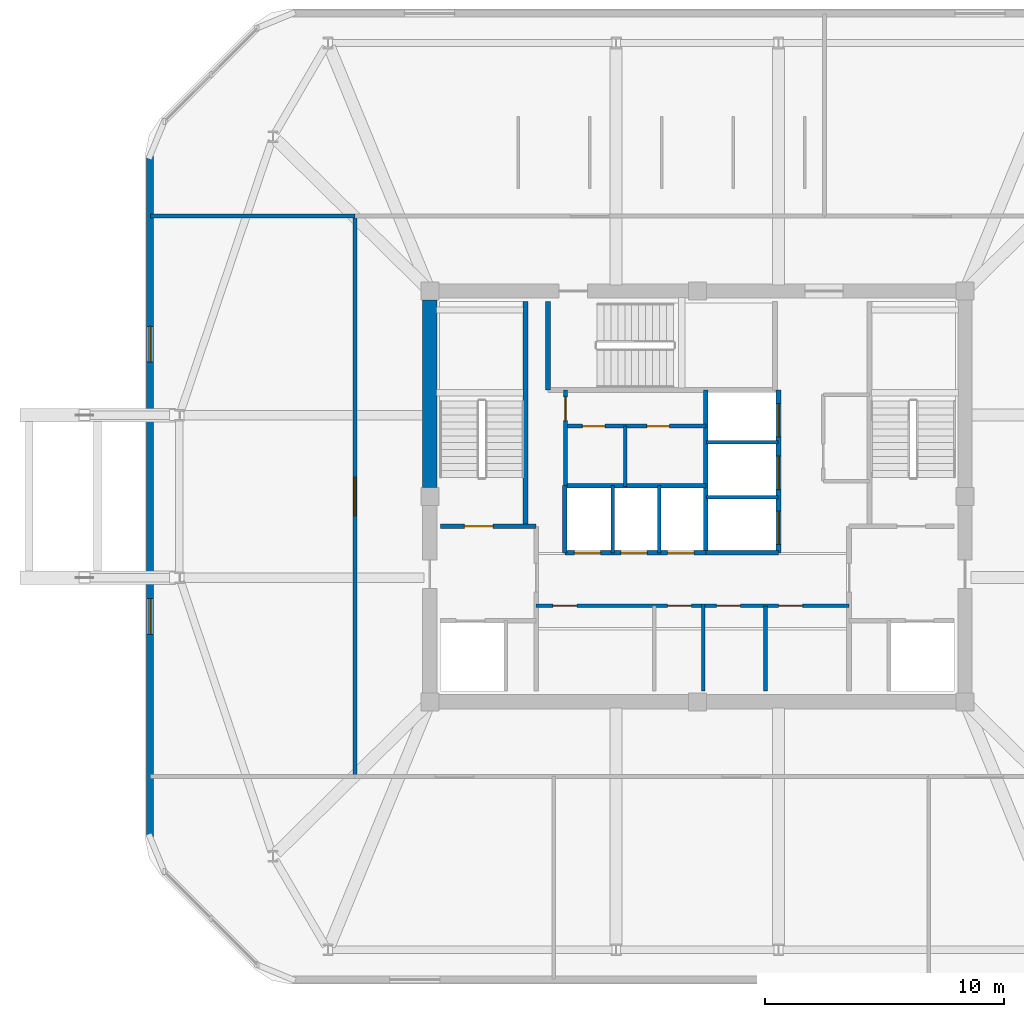
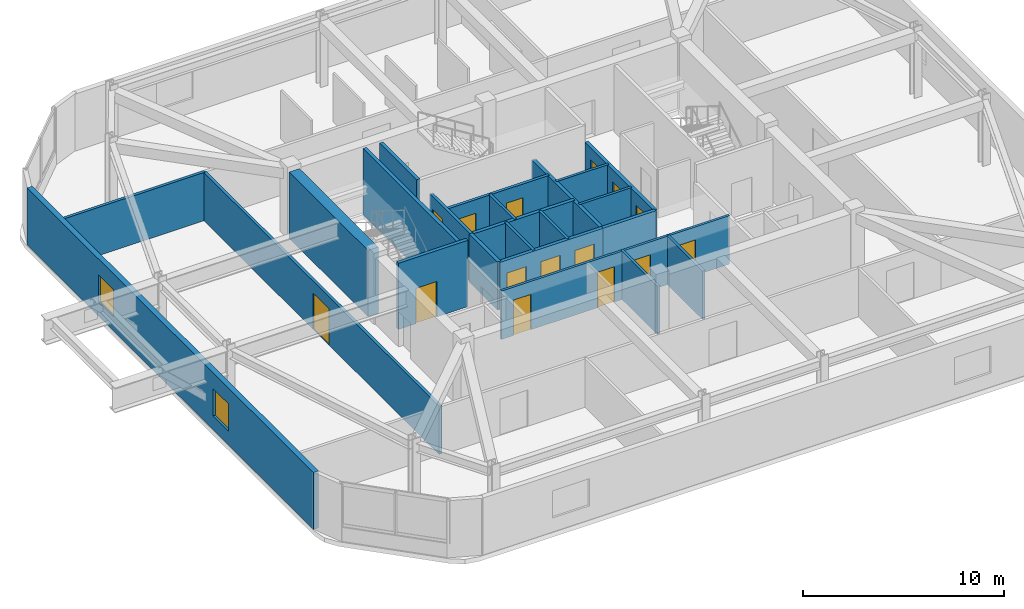
# One storey, part 6 of 9: 24 walls, 15 doors, 2 windows, 17 openings.
"""IFC4 building model written with IfcOpenShell, lengths in metres."""

from ifc_helpers import new_model, si_unit, derived_unit, direction, frame, frame_2d, origin, place, context, subcontext, project, spatial, rectangle, extrude, material, layer, layer_set, type_object, element, fill, save


model = new_model("IFC4")

# Units and contexts
model_context = context("Model", 3, precision=1e-05, world=origin(), true_north=direction((0.0, 1.0)))
body_context = subcontext(model_context, "Body", "Model", "MODEL_VIEW")
ifc_project = project(units=[si_unit("LENGTHUNIT", "METRE"), si_unit("AREAUNIT", "SQUARE_METRE"), si_unit("VOLUMEUNIT", "CUBIC_METRE"), si_unit("PLANEANGLEUNIT", "RADIAN"), si_unit("MASSUNIT", "GRAM", prefix="KILO"), derived_unit("THERMALTRANSMITTANCEUNIT", [(si_unit("POWERUNIT", "WATT"), 1), (si_unit("LENGTHUNIT", "METRE"), -2), (si_unit("THERMODYNAMICTEMPERATUREUNIT", "KELVIN"), -1)])], contexts=[model_context])

# Site, building, storey
site_placement = place(None, origin())
site = spatial("IfcSite", under=ifc_project, at=site_placement, CompositionType="ELEMENT")
building_placement = place(site_placement, origin())
building = spatial("IfcBuilding", under=site, at=building_placement, Name="Koralith Skygarden Medical Center", CompositionType="ELEMENT")
storey_placement = place(building_placement, frame((0.0, 0.0, 286.02001953125)))
storey = spatial("IfcBuildingStorey", under=building, at=storey_placement, Name="L74", CompositionType="ELEMENT", Elevation=286.02001953125)

# Wall, openings, doors
ifc_material_1 = material(Name="Gypsum Board Partition")
ifc_layer_1 = layer(ifc_material_1, 0.14990234375)
ifc_layer_set_1 = layer_set([ifc_layer_1], Name="Gypsum Board Partition")
wall_type_1 = type_object("IfcWallType", Name="Clinical Acoustic Partition 150", PredefinedType="PARTITIONING", material=ifc_layer_set_1)
wall_1_placement = place(storey_placement, frame((30.25, 21.320068359375, 0.0), z_axis=(0.0, 0.0, 1.0), x_axis=(1.0, 0.0, 0.0)))
wall_1 = element("IfcWall", 1, at=wall_1_placement, inside=storey, type_object=wall_type_1, Name="L74 Clinical Acoustic Partition 150 W-CORE-L74-FREED-LR-N", PredefinedType="PARTITIONING", context=body_context, shape_type="SweptSolid", body=[
    extrude(rectangle(XDim=7.0, YDim=0.14990234375, at=frame_2d((3.5, 0.0))), origin(), (0.0, 0.0, 1.0), 2.929931640625),
])
opening_1_placement = place(wall_1_placement, frame((0.699951171875, 0.0, 0.0)))
opening_1 = element("IfcOpeningElement", 2, at=opening_1_placement, cuts=wall_1, Name="Opening D-SUP", PredefinedType="OPENING", context=body_context, shape_type="SweptSolid", body=[
    extrude(rectangle(XDim=1.0, YDim=2.14990234375, at=frame_2d((0.5, 1.074951171875))), frame((0.0, 0.0849609375, 0.0), z_axis=(0.0, -1.0, 0.0), x_axis=(1.0, 0.0, 0.0)), (0.0, 0.0, 1.0), 0.169921875),
])
opening_2_placement = place(wall_1_placement, frame((5.5, 0.0, 0.0)))
opening_2 = element("IfcOpeningElement", 3, at=opening_2_placement, cuts=wall_1, Name="Opening D-SUP", PredefinedType="OPENING", context=body_context, shape_type="SweptSolid", body=[
    extrude(rectangle(XDim=1.0, YDim=2.14990234375, at=frame_2d((0.5, 1.074951171875))), frame((0.0, 0.0849609375, 0.0), z_axis=(0.0, -1.0, 0.0), x_axis=(1.0, 0.0, 0.0)), (0.0, 0.0, 1.0), 0.169921875),
])
ifc_material_2 = material(Name="Aluminium 6063-T6", Category="aluminium")
door_type_1 = type_object("IfcDoorType", Name="Clinical Support Door D-SUP 1000", OperationType="NOTDEFINED", PredefinedType="DOOR", material=ifc_material_2)
door_1_placement = place(opening_1_placement, frame((1.0, 0.0, 0.0), z_axis=(0.0, 0.0, 1.0), x_axis=(-1.0, 0.0, 0.0)))
door_1 = element("IfcDoor", 4, at=door_1_placement, inside=storey, type_object=door_type_1, Name="L74 Medication Preparation Door", OperationType="SINGLE_SWING_LEFT", OverallHeight=2.14990234375, OverallWidth=1.0, PredefinedType="DOOR", context=body_context, shape_type="SweptSolid", body=[
    extrude(rectangle(XDim=1.0, YDim=2.14990234375, at=frame_2d((0.5, 1.074951171875))), frame((0.0, 0.02490234375, 0.0), z_axis=(0.0, -1.0, 0.0), x_axis=(1.0, 0.0, 0.0)), (0.0, 0.0, 1.0), 0.050048828125),
])
fill(opening_1, door_1)
door_2_placement = place(opening_2_placement, frame((1.0, 0.0, 0.0), z_axis=(0.0, 0.0, 1.0), x_axis=(-1.0, 0.0, 0.0)))
door_2 = element("IfcDoor", 5, at=door_2_placement, inside=storey, type_object=door_type_1, Name="L74 Telemetry Room Door", OperationType="SINGLE_SWING_RIGHT", OverallHeight=2.14990234375, OverallWidth=1.0, PredefinedType="DOOR", context=body_context, shape_type="SweptSolid", body=[
    extrude(rectangle(XDim=1.0, YDim=2.14990234375, at=frame_2d((0.5, 1.074951171875))), frame((0.0, 0.02490234375, 0.0), z_axis=(0.0, -1.0, 0.0), x_axis=(1.0, 0.0, 0.0)), (0.0, 0.0, 1.0), 0.050048828125),
])
fill(opening_2, door_2)

wall_2_placement = place(storey_placement, frame((37.25, 21.320068359375, 0.0), z_axis=(0.0, 0.0, 1.0), x_axis=(1.0, 0.0, 0.0)))
wall_2 = element("IfcWall", 6, at=wall_2_placement, inside=storey, type_object=wall_type_1, Name="L74 Clinical Acoustic Partition 150 W-CORE-L74-FREED-MR-N", PredefinedType="PARTITIONING", context=body_context, shape_type="SweptSolid", body=[
    extrude(rectangle(XDim=6.10009765625, YDim=0.14990234375, at=frame_2d((3.050048828125, 0.0))), origin(), (0.0, 0.0, 1.0), 2.929931640625),
])
opening_3_placement = place(wall_2_placement, frame((0.550048828125, 0.0, 0.0)))
opening_3 = element("IfcOpeningElement", 7, at=opening_3_placement, cuts=wall_2, Name="Opening D-SUP", PredefinedType="OPENING", context=body_context, shape_type="SweptSolid", body=[
    extrude(rectangle(XDim=1.0, YDim=2.14990234375, at=frame_2d((0.5, 1.074951171875))), frame((0.0, 0.0849609375, 0.0), z_axis=(0.0, -1.0, 0.0), x_axis=(1.0, 0.0, 0.0)), (0.0, 0.0, 1.0), 0.169921875),
])
opening_4_placement = place(wall_2_placement, frame((3.14990234375, 0.0, 0.0)))
opening_4 = element("IfcOpeningElement", 8, at=opening_4_placement, cuts=wall_2, Name="Opening D-SUP", PredefinedType="OPENING", context=body_context, shape_type="SweptSolid", body=[
    extrude(rectangle(XDim=1.0, YDim=2.14990234375, at=frame_2d((0.5, 1.074951171875))), frame((0.0, 0.0849609375, 0.0), z_axis=(0.0, -1.0, 0.0), x_axis=(1.0, 0.0, 0.0)), (0.0, 0.0, 1.0), 0.169921875),
])
door_3_placement = place(opening_3_placement, frame((1.0, 0.0, 0.0), z_axis=(0.0, 0.0, 1.0), x_axis=(-1.0, 0.0, 0.0)))
door_3 = element("IfcDoor", 9, at=door_3_placement, inside=storey, type_object=door_type_1, Name="L74 Satellite Pharmacy Door", OperationType="SINGLE_SWING_LEFT", OverallHeight=2.14990234375, OverallWidth=1.0, PredefinedType="DOOR", context=body_context, shape_type="SweptSolid", body=[
    extrude(rectangle(XDim=1.0, YDim=2.14990234375, at=frame_2d((0.5, 1.074951171875))), frame((0.0, 0.02490234375, 0.0), z_axis=(0.0, -1.0, 0.0), x_axis=(1.0, 0.0, 0.0)), (0.0, 0.0, 1.0), 0.050048828125),
])
fill(opening_3, door_3)
door_4_placement = place(opening_4_placement, frame((1.0, 0.0, 0.0), z_axis=(0.0, 0.0, 1.0), x_axis=(-1.0, 0.0, 0.0)))
door_4 = element("IfcDoor", 10, at=door_4_placement, inside=storey, type_object=door_type_1, Name="L74 Biomedical Equipment Door", OperationType="SINGLE_SWING_RIGHT", OverallHeight=2.14990234375, OverallWidth=1.0, PredefinedType="DOOR", context=body_context, shape_type="SweptSolid", body=[
    extrude(rectangle(XDim=1.0, YDim=2.14990234375, at=frame_2d((0.5, 1.074951171875))), frame((0.0, 0.02490234375, 0.0), z_axis=(0.0, -1.0, 0.0), x_axis=(1.0, 0.0, 0.0)), (0.0, 0.0, 1.0), 0.050048828125),
])
fill(opening_4, door_4)

# Walls
wall_3_placement = place(storey_placement, frame((39.85009765625, 17.75, 0.0), z_axis=(0.0, 0.0, 1.0), x_axis=(0.0, 1.0, 0.0)))
element("IfcWall", 11, at=wall_3_placement, inside=storey, type_object=wall_type_1, Name="L74 Clinical Acoustic Partition 150 W-CORE-L74-FREED-MR-M", PredefinedType="PARTITIONING", context=body_context, shape_type="SweptSolid", body=[
    extrude(rectangle(XDim=3.570068359375, YDim=0.14990234375, at=frame_2d((1.78515625, 0.0))), origin(), (0.0, 0.0, 1.0), 2.929931640625),
])
wall_4_placement = place(storey_placement, frame((33.97998046875, 26.320068359375, 0.0), z_axis=(0.0, 0.0, 1.0), x_axis=(0.0, 1.0, 0.0)))
element("IfcWall", 12, at=wall_4_placement, inside=storey, type_object=wall_type_1, Name="L74 Clinical Acoustic Partition 150 W-CORE-L74-FLEX-V3A", PredefinedType="PARTITIONING", context=body_context, shape_type="SweptSolid", body=[
    extrude(rectangle(XDim=2.52001953125, YDim=0.14990234375, at=frame_2d((1.260009765625, 0.0))), origin(), (0.0, 0.0, 1.0), 2.929931640625),
])
ifc_layer_2 = layer(ifc_material_1, 0.1650390625)
ifc_layer_set_2 = layer_set([ifc_layer_2], Name="Gypsum Board Partition")
wall_type_2 = type_object("IfcWallType", Name="Clinical Corridor Partition 165", PredefinedType="PARTITIONING", material=ifc_layer_set_2)
wall_5_placement = place(storey_placement, frame((14.10009765625, 37.6298828125, 0.0), z_axis=(0.0, 0.0, 1.0), x_axis=(1.0, 0.0, 0.0)))
element("IfcWall", 13, at=wall_5_placement, inside=storey, type_object=wall_type_2, Name="L74 Clinical Corridor Partition 165 W-WB-L74-NW", PredefinedType="PARTITIONING", context=body_context, shape_type="SweptSolid", body=[
    extrude(rectangle(XDim=8.56982421875, YDim=0.1650390625, at=frame_2d((4.284912109375, 0.0))), origin(), (0.0, 0.0, 1.0), 2.929931640625),
])

# Wall, opening, door
wall_6_placement = place(storey_placement, frame((22.669921875, 14.169921875, 0.0), z_axis=(0.0, 0.0, 1.0), x_axis=(0.0, 1.0, 0.0)))
wall_6 = element("IfcWall", 14, at=wall_6_placement, inside=storey, type_object=wall_type_2, Name="L74 Clinical Corridor Partition 165 W-CRCOR-L74-W-1", PredefinedType="PARTITIONING", context=body_context, shape_type="SweptSolid", body=[
    extrude(rectangle(XDim=23.4599609375, YDim=0.1650390625, at=frame_2d((11.72998046875, 0.0))), origin(), (0.0, 0.0, 1.0), 2.929931640625),
])
opening_5_placement = place(wall_6_placement, frame((10.929931640625, 0.0, 0.0)))
opening_5 = element("IfcOpeningElement", 15, at=opening_5_placement, cuts=wall_6, Name="Opening D-DBL", PredefinedType="OPENING", context=body_context, shape_type="SweptSolid", body=[
    extrude(rectangle(XDim=1.60009765625, YDim=2.199951171875, at=frame_2d((0.800048828125, 1.10009765625))), frame((0.0, 0.092529296875, 0.0), z_axis=(0.0, -1.0, 0.0), x_axis=(1.0, 0.0, 0.0)), (0.0, 0.0, 1.0), 0.18505859375),
])
door_type_2 = type_object("IfcDoorType", Name="Double Clinical Suite Door D-DBL 1600", OperationType="NOTDEFINED", PredefinedType="DOOR", material=ifc_material_2)
door_5_placement = place(opening_5_placement, frame((1.60009765625, 0.0, 0.0), z_axis=(0.0, 0.0, 1.0), x_axis=(-1.0, 0.0, 0.0)))
door_5 = element("IfcDoor", 16, at=door_5_placement, inside=storey, type_object=door_type_2, Name="L74 Faculty Fellows Reading Lounge Door", OperationType="DOUBLE_DOOR_SINGLE_SWING", OverallHeight=2.199951171875, OverallWidth=1.60009765625, PredefinedType="DOOR", context=body_context, shape_type="SweptSolid", body=[
    extrude(rectangle(XDim=1.60009765625, YDim=2.199951171875, at=frame_2d((0.800048828125, 1.10009765625))), frame((0.0, 0.02490234375, 0.0), z_axis=(0.0, -1.0, 0.0), x_axis=(1.0, 0.0, 0.0)), (0.0, 0.0, 1.0), 0.050048828125),
])
fill(opening_5, door_5)

# Wall, openings, doors
ifc_layer_3 = layer(ifc_material_1, 0.199951171875)
ifc_layer_set_3 = layer_set([ifc_layer_3], Name="Gypsum Board Partition")
wall_type_3 = type_object("IfcWallType", Name="Fire Shaft Wall 200", PredefinedType="SOLIDWALL", material=ifc_layer_set_3)
wall_7_placement = place(storey_placement, frame((31.449951171875, 23.5400390625, 0.0), z_axis=(0.0, 0.0, 1.0), x_axis=(1.0, 0.0, 0.0)))
wall_7 = element("IfcWall", 17, at=wall_7_placement, inside=storey, type_object=wall_type_3, Name="L74 Fire Shaft Wall 200 W-CORE-L74-PH-S", PredefinedType="SOLIDWALL", context=body_context, shape_type="SweptSolid", body=[
    extrude(rectangle(XDim=5.900146484375, YDim=0.199951171875, at=frame_2d((2.9501953125, 0.0))), origin(), (0.0, 0.0, 1.0), 2.929931640625),
])
opening_6_placement = place(wall_7_placement, frame((0.39990234375, 0.0, 0.0)))
opening_6 = element("IfcOpeningElement", 18, at=opening_6_placement, cuts=wall_7, Name="Opening LD-P", PredefinedType="OPENING", context=body_context, shape_type="SweptSolid", body=[
    extrude(rectangle(XDim=1.10009765625, YDim=2.14990234375, at=frame_2d((0.550048828125, 1.074951171875))), frame((0.0, 0.10986328125, 0.0), z_axis=(0.0, -1.0, 0.0), x_axis=(1.0, 0.0, 0.0)), (0.0, 0.0, 1.0), 0.219970703125),
])
opening_7_placement = place(wall_7_placement, frame((2.35009765625, 0.0, 0.0)))
opening_7 = element("IfcOpeningElement", 19, at=opening_7_placement, cuts=wall_7, Name="Opening LD-P", PredefinedType="OPENING", context=body_context, shape_type="SweptSolid", body=[
    extrude(rectangle(XDim=1.10009765625, YDim=2.14990234375, at=frame_2d((0.550048828125, 1.074951171875))), frame((0.0, 0.10986328125, 0.0), z_axis=(0.0, -1.0, 0.0), x_axis=(1.0, 0.0, 0.0)), (0.0, 0.0, 1.0), 0.219970703125),
])
opening_8_placement = place(wall_7_placement, frame((4.300048828125, 0.0, 0.0)))
opening_8 = element("IfcOpeningElement", 20, at=opening_8_placement, cuts=wall_7, Name="Opening LD-P", PredefinedType="OPENING", context=body_context, shape_type="SweptSolid", body=[
    extrude(rectangle(XDim=1.10009765625, YDim=2.14990234375, at=frame_2d((0.550048828125, 1.074951171875))), frame((0.0, 0.10986328125, 0.0), z_axis=(0.0, -1.0, 0.0), x_axis=(1.0, 0.0, 0.0)), (0.0, 0.0, 1.0), 0.219970703125),
])
ifc_material_3 = material(Name="Steel ASTM A500 Grade C", Category="steel")
door_type_3 = type_object("IfcDoorType", Name="Passenger Lift Sliding Landing Door LD-P 1100", OperationType="NOTDEFINED", PredefinedType="DOOR", material=ifc_material_3)
door_6_placement = place(opening_6_placement, origin())
door_6 = element("IfcDoor", 21, at=door_6_placement, inside=storey, type_object=door_type_3, Name="L74 Passenger Elevator PH1 Landing Door", OperationType="SLIDING_TO_RIGHT", OverallHeight=2.14990234375, OverallWidth=1.10009765625, PredefinedType="DOOR", context=body_context, shape_type="SweptSolid", body=[
    extrude(rectangle(XDim=1.10009765625, YDim=2.14990234375, at=frame_2d((0.550048828125, 1.074951171875))), frame((0.0, 0.02490234375, 0.0), z_axis=(0.0, -1.0, 0.0), x_axis=(1.0, 0.0, 0.0)), (0.0, 0.0, 1.0), 0.050048828125),
])
fill(opening_6, door_6)
door_7_placement = place(opening_7_placement, origin())
door_7 = element("IfcDoor", 22, at=door_7_placement, inside=storey, type_object=door_type_3, Name="L74 Passenger Elevator PH2 Landing Door", OperationType="SLIDING_TO_RIGHT", OverallHeight=2.14990234375, OverallWidth=1.10009765625, PredefinedType="DOOR", context=body_context, shape_type="SweptSolid", body=[
    extrude(rectangle(XDim=1.10009765625, YDim=2.14990234375, at=frame_2d((0.550048828125, 1.074951171875))), frame((0.0, 0.02490234375, 0.0), z_axis=(0.0, -1.0, 0.0), x_axis=(1.0, 0.0, 0.0)), (0.0, 0.0, 1.0), 0.050048828125),
])
fill(opening_7, door_7)
door_8_placement = place(opening_8_placement, origin())
door_8 = element("IfcDoor", 23, at=door_8_placement, inside=storey, type_object=door_type_3, Name="L74 Passenger Elevator PH3 Landing Door", OperationType="SLIDING_TO_RIGHT", OverallHeight=2.14990234375, OverallWidth=1.10009765625, PredefinedType="DOOR", context=body_context, shape_type="SweptSolid", body=[
    extrude(rectangle(XDim=1.10009765625, YDim=2.14990234375, at=frame_2d((0.550048828125, 1.074951171875))), frame((0.0, 0.02490234375, 0.0), z_axis=(0.0, -1.0, 0.0), x_axis=(1.0, 0.0, 0.0)), (0.0, 0.0, 1.0), 0.050048828125),
])
fill(opening_8, door_8)

# Walls
wall_8_placement = place(storey_placement, frame((31.449951171875, 26.35009765625, 0.0), z_axis=(0.0, 0.0, 1.0), x_axis=(1.0, 0.0, 0.0)))
element("IfcWall", 24, at=wall_8_placement, inside=storey, type_object=wall_type_3, Name="L74 Fire Shaft Wall 200 W-CORE-L74-PH-N", PredefinedType="SOLIDWALL", context=body_context, shape_type="SweptSolid", body=[
    extrude(rectangle(XDim=5.900146484375, YDim=0.199951171875, at=frame_2d((2.9501953125, 0.0))), origin(), (0.0, 0.0, 1.0), 2.929931640625),
])
wall_9_placement = place(storey_placement, frame((31.449951171875, 23.5400390625, 0.0), z_axis=(0.0, 0.0, 1.0), x_axis=(0.0, 1.0, 0.0)))
element("IfcWall", 25, at=wall_9_placement, inside=storey, type_object=wall_type_3, Name="L74 Fire Shaft Wall 200 W-CORE-L74-PH-W", PredefinedType="SOLIDWALL", context=body_context, shape_type="SweptSolid", body=[
    extrude(rectangle(XDim=2.81005859375, YDim=0.199951171875, at=frame_2d((1.405029296875, 0.0))), origin(), (0.0, 0.0, 1.0), 2.929931640625),
])
wall_10_placement = place(storey_placement, frame((37.35009765625, 23.5400390625, 0.0), z_axis=(0.0, 0.0, 1.0), x_axis=(0.0, 1.0, 0.0)))
element("IfcWall", 26, at=wall_10_placement, inside=storey, type_object=wall_type_3, Name="L74 Fire Shaft Wall 200 W-CORE-L74-SV-W", PredefinedType="SOLIDWALL", context=body_context, shape_type="SweptSolid", body=[
    extrude(rectangle(XDim=6.820068359375, YDim=0.199951171875, at=frame_2d((3.41015625, 0.0))), origin(), (0.0, 0.0, 1.0), 2.929931640625),
])
wall_11_placement = place(storey_placement, frame((37.35009765625, 23.5400390625, 0.0), z_axis=(0.0, 0.0, 1.0), x_axis=(1.0, 0.0, 0.0)))
element("IfcWall", 27, at=wall_11_placement, inside=storey, type_object=wall_type_3, Name="L74 Fire Shaft Wall 200 W-CORE-L74-SV-S", PredefinedType="SOLIDWALL", context=body_context, shape_type="SweptSolid", body=[
    extrude(rectangle(XDim=3.0498046875, YDim=0.199951171875, at=frame_2d((1.52490234375, 0.0))), origin(), (0.0, 0.0, 1.0), 2.929931640625),
])

# Wall, openings, doors
wall_12_placement = place(storey_placement, frame((40.39990234375, 23.5400390625, 0.0), z_axis=(0.0, 0.0, 1.0), x_axis=(0.0, 1.0, 0.0)))
wall_12 = element("IfcWall", 28, at=wall_12_placement, inside=storey, type_object=wall_type_3, Name="L74 Fire Shaft Wall 200 W-CORE-L74-SV-E", PredefinedType="SOLIDWALL", context=body_context, shape_type="SweptSolid", body=[
    extrude(rectangle(XDim=6.820068359375, YDim=0.199951171875, at=frame_2d((3.41015625, 0.0))), origin(), (0.0, 0.0, 1.0), 2.929931640625),
])
opening_9_placement = place(wall_12_placement, frame((0.35009765625, 0.0, 0.0)))
opening_9 = element("IfcOpeningElement", 29, at=opening_9_placement, cuts=wall_12, Name="Opening LD-SV", PredefinedType="OPENING", context=body_context, shape_type="SweptSolid", body=[
    extrude(rectangle(XDim=1.39990234375, YDim=2.199951171875, at=frame_2d((0.699951171875, 1.10009765625))), frame((0.0, 0.10986328125, 0.0), z_axis=(0.0, -1.0, 0.0), x_axis=(1.0, 0.0, 0.0)), (0.0, 0.0, 1.0), 0.219970703125),
])
opening_10_placement = place(wall_12_placement, frame((2.64990234375, 0.0, 0.0)))
opening_10 = element("IfcOpeningElement", 30, at=opening_10_placement, cuts=wall_12, Name="Opening LD-SV", PredefinedType="OPENING", context=body_context, shape_type="SweptSolid", body=[
    extrude(rectangle(XDim=1.39990234375, YDim=2.199951171875, at=frame_2d((0.699951171875, 1.10009765625))), frame((0.0, 0.10986328125, 0.0), z_axis=(0.0, -1.0, 0.0), x_axis=(1.0, 0.0, 0.0)), (0.0, 0.0, 1.0), 0.219970703125),
])
opening_11_placement = place(wall_12_placement, frame((4.85009765625, 0.0, 0.0)))
opening_11 = element("IfcOpeningElement", 31, at=opening_11_placement, cuts=wall_12, Name="Opening LD-SV", PredefinedType="OPENING", context=body_context, shape_type="SweptSolid", body=[
    extrude(rectangle(XDim=1.39990234375, YDim=2.199951171875, at=frame_2d((0.699951171875, 1.10009765625))), frame((0.0, 0.10986328125, 0.0), z_axis=(0.0, -1.0, 0.0), x_axis=(1.0, 0.0, 0.0)), (0.0, 0.0, 1.0), 0.219970703125),
])
door_type_4 = type_object("IfcDoorType", Name="Bed Lift Sliding Landing Door LD-SV 1400", OperationType="NOTDEFINED", PredefinedType="DOOR", material=ifc_material_3)
door_9_placement = place(opening_9_placement, origin())
door_9 = element("IfcDoor", 32, at=door_9_placement, inside=storey, type_object=door_type_4, Name="L74 Bed Elevator BD1 Landing Door", OperationType="SLIDING_TO_LEFT", OverallHeight=2.199951171875, OverallWidth=1.39990234375, PredefinedType="DOOR", context=body_context, shape_type="SweptSolid", body=[
    extrude(rectangle(XDim=1.39990234375, YDim=2.199951171875, at=frame_2d((0.699951171875, 1.10009765625))), frame((0.0, 0.02490234375, 0.0), z_axis=(0.0, -1.0, 0.0), x_axis=(1.0, 0.0, 0.0)), (0.0, 0.0, 1.0), 0.050048828125),
])
fill(opening_9, door_9)
door_10_placement = place(opening_10_placement, origin())
door_10 = element("IfcDoor", 33, at=door_10_placement, inside=storey, type_object=door_type_4, Name="L74 Service Elevator BD2 Landing Door", OperationType="SLIDING_TO_LEFT", OverallHeight=2.199951171875, OverallWidth=1.39990234375, PredefinedType="DOOR", context=body_context, shape_type="SweptSolid", body=[
    extrude(rectangle(XDim=1.39990234375, YDim=2.199951171875, at=frame_2d((0.699951171875, 1.10009765625))), frame((0.0, 0.02490234375, 0.0), z_axis=(0.0, -1.0, 0.0), x_axis=(1.0, 0.0, 0.0)), (0.0, 0.0, 1.0), 0.050048828125),
])
fill(opening_10, door_10)
door_11_placement = place(opening_11_placement, origin())
door_11 = element("IfcDoor", 34, at=door_11_placement, inside=storey, type_object=door_type_4, Name="L74 Trauma Elevator TR1 Landing Door", OperationType="SLIDING_TO_RIGHT", OverallHeight=2.199951171875, OverallWidth=1.39990234375, PredefinedType="DOOR", context=body_context, shape_type="SweptSolid", body=[
    extrude(rectangle(XDim=1.39990234375, YDim=2.199951171875, at=frame_2d((0.699951171875, 1.10009765625))), frame((0.0, 0.02490234375, 0.0), z_axis=(0.0, -1.0, 0.0), x_axis=(1.0, 0.0, 0.0)), (0.0, 0.0, 1.0), 0.050048828125),
])
fill(opening_11, door_11)

# Wall, openings, windows
ifc_material_4 = material(Name="Warm Oolitic Limestone Cladding", Category="masonry")
ifc_layer_4 = layer(ifc_material_4, 0.300048828125)
ifc_layer_set_4 = layer_set([ifc_layer_4], Name="Warm Oolitic Limestone Cladding")
wall_type_4 = type_object("IfcWallType", Name="Oolitic Limestone Insulated Facade Wall 300", PredefinedType="SOLIDWALL", material=ifc_layer_set_4)
wall_13_placement = place(storey_placement, frame((14.080078125, 40.14501953125, 0.0), z_axis=(0.0, 0.0, 1.0), x_axis=(0.0, -1.0, 0.0)))
wall_13 = element("IfcWall", 35, at=wall_13_placement, inside=storey, type_object=wall_type_4, Name="L74 Crown Limestone Wall W", PredefinedType="SOLIDWALL", context=body_context, shape_type="SweptSolid", body=[
    extrude(rectangle(XDim=28.489990234375, YDim=0.300048828125, at=frame_2d((14.2451171875, 0.0))), origin(), (0.0, 0.0, 1.0), 3.4599609375),
])
opening_12_placement = place(wall_13_placement, frame((7.1220703125, 0.0, 0.85009765625)))
opening_12 = element("IfcOpeningElement", 36, at=opening_12_placement, cuts=wall_13, Name="Opening W-06", PredefinedType="OPENING", context=body_context, shape_type="SweptSolid", body=[
    extrude(rectangle(XDim=1.5, YDim=1.64990234375, at=frame_2d((0.75, 0.824951171875))), frame((0.0, 0.159912109375, 0.0), z_axis=(0.0, -1.0, 0.0), x_axis=(1.0, 0.0, 0.0)), (0.0, 0.0, 1.0), 0.320068359375),
])
opening_13_placement = place(wall_13_placement, frame((18.51806640625, 0.0, 0.85009765625)))
opening_13 = element("IfcOpeningElement", 37, at=opening_13_placement, cuts=wall_13, Name="Opening W-06", PredefinedType="OPENING", context=body_context, shape_type="SweptSolid", body=[
    extrude(rectangle(XDim=1.5, YDim=1.64990234375, at=frame_2d((0.75, 0.824951171875))), frame((0.0, 0.159912109375, 0.0), z_axis=(0.0, -1.0, 0.0), x_axis=(1.0, 0.0, 0.0)), (0.0, 0.0, 1.0), 0.320068359375),
])
ifc_material_5 = material(Name="Clear Laminated Glass", Category="glass")
window_type = type_object("IfcWindowType", Name="Auditorium Acoustic Triple Window W-06 1500x1650", PartitioningType="SINGLE_PANEL", PredefinedType="WINDOW", material=ifc_material_5)
window_1_placement = place(opening_12_placement, origin())
window_1 = element("IfcWindow", 38, at=window_1_placement, inside=storey, type_object=window_type, Name="L74 W Crown Window 1", OverallHeight=1.64990234375, OverallWidth=1.5, PartitioningType="SINGLE_PANEL", PredefinedType="WINDOW", context=body_context, shape_type="SweptSolid", body=[
    extrude(rectangle(XDim=1.5, YDim=1.64990234375, at=frame_2d((0.75, 0.824951171875))), frame((0.0, 0.030029296875, 0.0), z_axis=(0.0, -1.0, 0.0), x_axis=(1.0, 0.0, 0.0)), (0.0, 0.0, 1.0), 0.06005859375),
])
fill(opening_12, window_1)
window_2_placement = place(opening_13_placement, origin())
window_2 = element("IfcWindow", 39, at=window_2_placement, inside=storey, type_object=window_type, Name="L74 W Crown Window 2", OverallHeight=1.64990234375, OverallWidth=1.5, PartitioningType="SINGLE_PANEL", PredefinedType="WINDOW", context=body_context, shape_type="SweptSolid", body=[
    extrude(rectangle(XDim=1.5, YDim=1.64990234375, at=frame_2d((0.75, 0.824951171875))), frame((0.0, 0.030029296875, 0.0), z_axis=(0.0, -1.0, 0.0), x_axis=(1.0, 0.0, 0.0)), (0.0, 0.0, 1.0), 0.06005859375),
])
fill(opening_13, window_2)

# Wall, opening, door
ifc_layer_5 = layer(ifc_material_1, 0.1650390625)
ifc_layer_set_5 = layer_set([ifc_layer_5], Name="Gypsum Board Partition")
wall_type_5 = type_object("IfcWallType", Name="Plumbing Wet Wall 165", PredefinedType="PLUMBINGWALL", material=ifc_layer_set_5)
wall_14_placement = place(storey_placement, frame((31.47998046875, 26.320068359375, 0.0), z_axis=(0.0, 0.0, 1.0), x_axis=(0.0, 1.0, 0.0)))
wall_14 = element("IfcWall", 40, at=wall_14_placement, inside=storey, type_object=wall_type_5, Name="L74 Plumbing Wet Wall 165 W-CORE-L74-FLEX-W", PredefinedType="PLUMBINGWALL", context=body_context, shape_type="SweptSolid", body=[
    extrude(rectangle(XDim=4.0400390625, YDim=0.1650390625, at=frame_2d((2.02001953125, 0.0))), origin(), (0.0, 0.0, 1.0), 2.929931640625),
])
opening_14_placement = place(wall_14_placement, frame((2.75, 0.0, 0.0)))
opening_14 = element("IfcOpeningElement", 41, at=opening_14_placement, cuts=wall_14, Name="Opening D-SUP", PredefinedType="OPENING", context=body_context, shape_type="SweptSolid", body=[
    extrude(rectangle(XDim=1.0, YDim=2.14990234375, at=frame_2d((0.5, 1.074951171875))), frame((0.0, 0.092529296875, 0.0), z_axis=(0.0, -1.0, 0.0), x_axis=(1.0, 0.0, 0.0)), (0.0, 0.0, 1.0), 0.18505859375),
])
door_12_placement = place(opening_14_placement, frame((1.0, 0.0, 0.0), z_axis=(0.0, 0.0, 1.0), x_axis=(-1.0, 0.0, 0.0)))
door_12 = element("IfcDoor", 42, at=door_12_placement, inside=storey, type_object=door_type_1, Name="L74 Core Utility Alcove Door", OperationType="SINGLE_SWING_RIGHT", OverallHeight=2.14990234375, OverallWidth=1.0, PredefinedType="DOOR", context=body_context, shape_type="SweptSolid", body=[
    extrude(rectangle(XDim=1.0, YDim=2.14990234375, at=frame_2d((0.5, 1.074951171875))), frame((0.0, 0.02490234375, 0.0), z_axis=(0.0, -1.0, 0.0), x_axis=(1.0, 0.0, 0.0)), (0.0, 0.0, 1.0), 0.050048828125),
])
fill(opening_14, door_12)

# Wall, openings, doors
wall_15_placement = place(storey_placement, frame((31.47998046875, 28.840087890625, 0.0), z_axis=(0.0, 0.0, 1.0), x_axis=(1.0, 0.0, 0.0)))
wall_15 = element("IfcWall", 43, at=wall_15_placement, inside=storey, type_object=wall_type_5, Name="L74 Plumbing Wet Wall 165 W-CORE-L74-FLEX-H3", PredefinedType="PLUMBINGWALL", context=body_context, shape_type="SweptSolid", body=[
    extrude(rectangle(XDim=5.8701171875, YDim=0.1650390625, at=frame_2d((2.93505859375, 0.0))), origin(), (0.0, 0.0, 1.0), 2.929931640625),
])
opening_15_placement = place(wall_15_placement, frame((0.699951171875, 0.0, 0.0)))
opening_15 = element("IfcOpeningElement", 44, at=opening_15_placement, cuts=wall_15, Name="Opening D-WC", PredefinedType="OPENING", context=body_context, shape_type="SweptSolid", body=[
    extrude(rectangle(XDim=0.949951171875, YDim=2.10009765625, at=frame_2d((0.47509765625, 1.050048828125))), frame((0.0, 0.092529296875, 0.0), z_axis=(0.0, -1.0, 0.0), x_axis=(1.0, 0.0, 0.0)), (0.0, 0.0, 1.0), 0.18505859375),
])
opening_16_placement = place(wall_15_placement, frame((3.39990234375, 0.0, 0.0)))
opening_16 = element("IfcOpeningElement", 45, at=opening_16_placement, cuts=wall_15, Name="Opening D-WC", PredefinedType="OPENING", context=body_context, shape_type="SweptSolid", body=[
    extrude(rectangle(XDim=0.949951171875, YDim=2.10009765625, at=frame_2d((0.47509765625, 1.050048828125))), frame((0.0, 0.092529296875, 0.0), z_axis=(0.0, -1.0, 0.0), x_axis=(1.0, 0.0, 0.0)), (0.0, 0.0, 1.0), 0.18505859375),
])
door_type_5 = type_object("IfcDoorType", Name="Accessible Toilet Door D-WC 950", OperationType="NOTDEFINED", PredefinedType="DOOR", material=ifc_material_2)
door_13_placement = place(opening_15_placement, frame((0.949951171875, 0.0, 0.0), z_axis=(0.0, 0.0, 1.0), x_axis=(-1.0, 0.0, 0.0)))
door_13 = element("IfcDoor", 46, at=door_13_placement, inside=storey, type_object=door_type_5, Name="L74 Core Accessible WC Door", OperationType="SINGLE_SWING_LEFT", OverallHeight=2.10009765625, OverallWidth=0.949951171875, PredefinedType="DOOR", context=body_context, shape_type="SweptSolid", body=[
    extrude(rectangle(XDim=0.949951171875, YDim=2.10009765625, at=frame_2d((0.47509765625, 1.050048828125))), frame((0.0, 0.02490234375, 0.0), z_axis=(0.0, -1.0, 0.0), x_axis=(1.0, 0.0, 0.0)), (0.0, 0.0, 1.0), 0.050048828125),
])
fill(opening_15, door_13)
door_14_placement = place(opening_16_placement, frame((0.949951171875, 0.0, 0.0), z_axis=(0.0, 0.0, 1.0), x_axis=(-1.0, 0.0, 0.0)))
door_14 = element("IfcDoor", 47, at=door_14_placement, inside=storey, type_object=door_type_5, Name="L74 Housekeeping Store Door", OperationType="SINGLE_SWING_RIGHT", OverallHeight=2.10009765625, OverallWidth=0.949951171875, PredefinedType="DOOR", context=body_context, shape_type="SweptSolid", body=[
    extrude(rectangle(XDim=0.949951171875, YDim=2.10009765625, at=frame_2d((0.47509765625, 1.050048828125))), frame((0.0, 0.02490234375, 0.0), z_axis=(0.0, -1.0, 0.0), x_axis=(1.0, 0.0, 0.0)), (0.0, 0.0, 1.0), 0.050048828125),
])
fill(opening_16, door_14)

# Walls
ifc_layer_6 = layer(ifc_material_1, 0.14990234375)
ifc_layer_set_6 = layer_set([ifc_layer_6], Name="Gypsum Board Partition")
wall_type_6 = type_object("IfcWallType", Name="Shaft Partition Wall 150", PredefinedType="PARTITIONING", material=ifc_layer_set_6)
wall_16_placement = place(storey_placement, frame((37.25, 17.75, 0.0), z_axis=(0.0, 0.0, 1.0), x_axis=(0.0, 1.0, 0.0)))
element("IfcWall", 48, at=wall_16_placement, inside=storey, type_object=wall_type_6, Name="L74 Shaft Partition Wall 150 W-CORE-L74-PL-PM-SEP", PredefinedType="PARTITIONING", context=body_context, shape_type="SweptSolid", body=[
    extrude(rectangle(XDim=3.64990234375, YDim=0.14990234375, at=frame_2d((1.824951171875, 0.0))), origin(), (0.0, 0.0, 1.0), 2.929931640625),
])
for number, where, z_axis, x_axis, name in (
    (49, (33.449951171875, 23.5400390625, 0.0), (0.0, 0.0, 1.0), (0.0, 1.0, 0.0), "L74 Shaft Partition Wall 150 W-CORE-L74-PH-D1"),
    (50, (35.39990234375, 23.5400390625, 0.0), (0.0, 0.0, 1.0), (0.0, 1.0, 0.0), "L74 Shaft Partition Wall 150 W-CORE-L74-PH-D2"),
):
    element("IfcWall", number, at=place(storey_placement, frame(where, z_axis=z_axis, x_axis=x_axis)), inside=storey, type_object=wall_type_6, Name=name, PredefinedType="PARTITIONING", context=body_context, shape_type="SweptSolid", body=[
        extrude(rectangle(XDim=2.81005859375, YDim=0.14990234375, at=frame_2d((1.405029296875, 0.0))), origin(), (0.0, 0.0, 1.0), 2.929931640625),
    ])
for number, where, z_axis, x_axis, name in (
    (51, (37.3701171875, 25.8701171875, 0.0), (0.0, 0.0, 1.0), (1.0, 0.0, 0.0), "L74 Shaft Partition Wall 150 W-CORE-L74-SV-D1"),
    (52, (37.3701171875, 28.169921875, 0.0), (0.0, 0.0, 1.0), (1.0, 0.0, 0.0), "L74 Shaft Partition Wall 150 W-CORE-L74-SV-D2"),
):
    element("IfcWall", number, at=place(storey_placement, frame(where, z_axis=z_axis, x_axis=x_axis)), inside=storey, type_object=wall_type_6, Name=name, PredefinedType="PARTITIONING", context=body_context, shape_type="SweptSolid", body=[
        extrude(rectangle(XDim=3.009765625, YDim=0.14990234375, at=frame_2d((1.5048828125, 0.0))), origin(), (0.0, 0.0, 1.0), 2.929931640625),
    ])
ifc_material_6 = material(Name="Concrete C45/55", Category="concrete")
ifc_layer_7 = layer(ifc_material_6, 0.199951171875)
ifc_layer_set_7 = layer_set([ifc_layer_7], Name="Concrete C45/55")
wall_type_7 = type_object("IfcWallType", Name="Structural Stair Shaft Wall 200", PredefinedType="SHEAR", material=ifc_layer_set_7)
wall_17_placement = place(storey_placement, frame((29.800048828125, 24.64990234375, 0.0), z_axis=(0.0, 0.0, 1.0), x_axis=(0.0, 1.0, 0.0)))
element("IfcWall", 53, at=wall_17_placement, inside=storey, type_object=wall_type_7, Name="L74 Structural Stair Shaft Wall 200 W-CORE-L74-ST1-E", PredefinedType="SHEAR", context=body_context, shape_type="SweptSolid", body=[
    extrude(rectangle(XDim=9.400146484375, YDim=0.199951171875, at=frame_2d((4.7001953125, 0.0))), origin(), (0.0, 0.0, 1.0), 4.02001953125),
])

# Wall, opening, door
wall_18_placement = place(storey_placement, frame((26.25, 24.64990234375, 0.0), z_axis=(0.0, 0.0, 1.0), x_axis=(1.0, 0.0, 0.0)))
wall_18 = element("IfcWall", 54, at=wall_18_placement, inside=storey, type_object=wall_type_7, Name="L74 Structural Stair Shaft Wall 200 W-CORE-L74-ST1-S", PredefinedType="SHEAR", context=body_context, shape_type="SweptSolid", body=[
    extrude(rectangle(XDim=4.0, YDim=0.199951171875, at=frame_2d((2.0, 0.0))), origin(), (0.0, 0.0, 1.0), 4.02001953125),
])
opening_17_placement = place(wall_18_placement, frame((1.0, 0.0, 0.0)))
opening_17 = element("IfcOpeningElement", 55, at=opening_17_placement, cuts=wall_18, Name="Opening D-ST60", PredefinedType="OPENING", context=body_context, shape_type="SweptSolid", body=[
    extrude(rectangle(XDim=1.199951171875, YDim=2.14990234375, at=frame_2d((0.60009765625, 1.074951171875))), frame((0.0, 0.10986328125, 0.0), z_axis=(0.0, -1.0, 0.0), x_axis=(1.0, 0.0, 0.0)), (0.0, 0.0, 1.0), 0.219970703125),
])
door_type_6 = type_object("IfcDoorType", Name="Smokeproof Stair Fire Door FD60S 1200", OperationType="NOTDEFINED", PredefinedType="DOOR", material=ifc_material_3)
door_15_placement = place(opening_17_placement, origin())
door_15 = element("IfcDoor", 56, at=door_15_placement, inside=storey, type_object=door_type_6, Name="L74 Exit Stair ST1 Fire Door", OperationType="SINGLE_SWING_LEFT", OverallHeight=2.14990234375, OverallWidth=1.199951171875, PredefinedType="DOOR", context=body_context, shape_type="SweptSolid", body=[
    extrude(rectangle(XDim=1.199951171875, YDim=2.14990234375, at=frame_2d((0.60009765625, 1.074951171875))), frame((0.0, 0.02490234375, 0.0), z_axis=(0.0, -1.0, 0.0), x_axis=(1.0, 0.0, 0.0)), (0.0, 0.0, 1.0), 0.050048828125),
])
fill(opening_17, door_15)

# Walls
wall_19_placement = place(storey_placement, frame((30.75, 30.360107421875, 0.0), z_axis=(0.0, 0.0, 1.0), x_axis=(0.0, 1.0, 0.0)))
element("IfcWall", 57, at=wall_19_placement, inside=storey, type_object=wall_type_7, Name="L74 Structural Stair Shaft Wall 200 W-CORE-L74-ST3-W", PredefinedType="SHEAR", context=body_context, shape_type="SweptSolid", body=[
    extrude(rectangle(XDim=3.68994140625, YDim=0.199951171875, at=frame_2d((1.844970703125, 0.0))), origin(), (0.0, 0.0, 1.0), 4.02001953125),
])
ifc_material_7 = material(Name="Concrete C55/67", Category="concrete")
ifc_layer_8 = layer(ifc_material_7, 0.60009765625)
ifc_layer_set_8 = layer_set([ifc_layer_8], Name="Concrete C55/67")
wall_type_8 = type_object("IfcWallType", Name="Upper Core Shear Wall 600", PredefinedType="SHEAR", material=ifc_layer_set_8)
wall_20_placement = place(storey_placement, frame((25.800048828125, 34.125, 0.0), z_axis=(0.0, 0.0, 1.0), x_axis=(0.0, -1.0, 0.0)))
element("IfcWall", 58, at=wall_20_placement, inside=storey, type_object=wall_type_8, Name="L74 Core Shear Wall Segment 7", PredefinedType="SHEAR", context=body_context, shape_type="SweptSolid", body=[
    extrude(rectangle(XDim=7.85009765625, YDim=0.60009765625, at=frame_2d((3.925048828125, 0.0))), origin(), (0.0, 0.0, 1.0), 4.02001953125),
])

save(model, "model.ifc")
